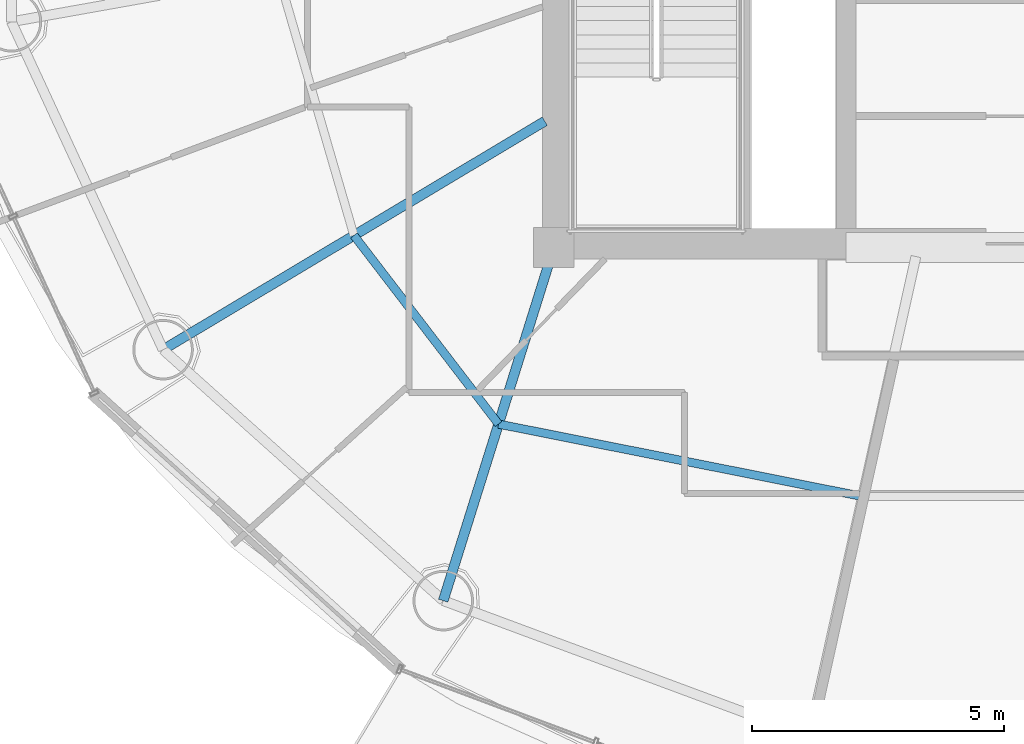
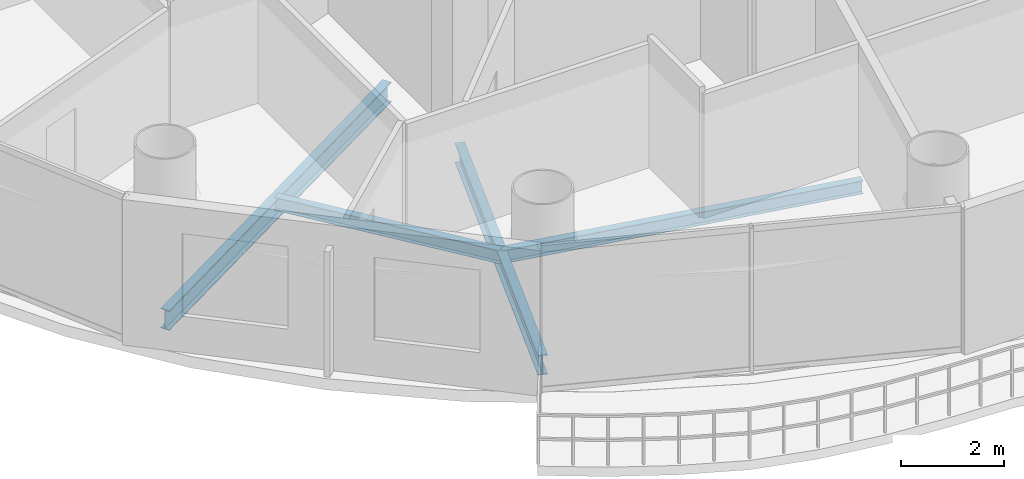
# One storey, part 4 of 26: 4 beams.
"""IFC4 building model written with IfcOpenShell, lengths in metres."""

import ifcopenshell
import ifcopenshell.guid

model = None  # the IFC model being written
_history = None  # IfcOwnerHistory: only IFC2X3 demands one
_inside = {}  # id of a spatial element -> (the spatial element, [elements in it])
_under = {}  # id of a project, library or spatial element -> (it, [spatial elements below it])
_declared = {}  # id of a project -> (the project, [libraries it declares])
_typed = {}  # id of a type object -> (the type object, [elements of that type])
_made_of = {}  # id of a material, layer set ... -> (it, [elements and type objects made of it])


def new_model(schema):
    """Start an empty IFC model of exactly this schema.

    Asked for "IFC4X3", IfcOpenShell would pick the latest addendum, in which some entities
    have other attributes; the version numbers below select the first issue.
    IFC2X3 requires an IfcOwnerHistory on every rooted entity: one is made here for all.
    """
    global model, _history
    if schema == "IFC4X3":
        model = ifcopenshell.file(schema_version=(4, 3, 0, 0))
    else:
        model = ifcopenshell.file(schema=schema)
    _inside.clear()
    _under.clear()
    _declared.clear()
    _typed.clear()
    _made_of.clear()
    _history = None
    if model.schema == "IFC2X3":
        org = make("IfcOrganization", Name="unknown")
        user = make(
            "IfcPersonAndOrganization",
            ThePerson=make("IfcPerson", FamilyName="unknown"),
            TheOrganization=org,
        )
        app = make(
            "IfcApplication",
            ApplicationDeveloper=org,
            Version="unknown",
            ApplicationFullName="unknown",
            ApplicationIdentifier="unknown",
        )
        _history = make(
            "IfcOwnerHistory",
            OwningUser=user,
            OwningApplication=app,
            ChangeAction="ADDED",
            CreationDate=0,
        )
    return model


def make(cls, **values):
    """One entity of the class cls with the attributes given. An attribute that is None is left unset."""
    return model.create_entity(
        cls, **{name: value for name, value in values.items() if value is not None}
    )


def rooted(cls, **values):
    """An entity with a GlobalId (a new one), such as an element, a storey or a relation."""
    return make(cls, GlobalId=ifcopenshell.guid.new(), OwnerHistory=_history, **values)


def si_unit(unit_type, name, prefix=None):
    """IfcSIUnit, for example si_unit("LENGTHUNIT", "METRE", prefix="MILLI")."""
    return make("IfcSIUnit", UnitType=unit_type, Prefix=prefix, Name=name)


def assignment(units):
    """IfcUnitAssignment: the units of a project."""
    return None if units is None else make("IfcUnitAssignment", Units=units)


def point(xyz):
    """IfcCartesianPoint."""
    return None if xyz is None else make("IfcCartesianPoint", Coordinates=xyz)


def direction(xyz):
    """IfcDirection."""
    return None if xyz is None else make("IfcDirection", DirectionRatios=xyz)


def frame(location, z_axis=None, x_axis=None):
    """IfcAxis2Placement3D, a coordinate frame: its origin and axes. An axis left out is left unset."""
    return make(
        "IfcAxis2Placement3D",
        Location=point(location),
        Axis=direction(z_axis),
        RefDirection=direction(x_axis),
    )


def frame_2d(location, x_axis=None):
    """IfcAxis2Placement2D, a coordinate frame in the plane: its origin and x axis."""
    return make(
        "IfcAxis2Placement2D", Location=point(location), RefDirection=direction(x_axis)
    )


def origin():
    """The frame at (0, 0, 0) with its axes left unset."""
    return frame((0.0, 0.0, 0.0))


def origin_2d():
    """The frame at (0, 0) in the plane with its x axis left unset."""
    return frame_2d((0.0, 0.0))


def place(relative_to, where):
    """IfcLocalPlacement: puts the frame where relative to a parent placement (None: the world)."""
    return make(
        "IfcLocalPlacement", PlacementRelTo=relative_to, RelativePlacement=where
    )


def context(
    kind, dimensions, precision=None, world=None, true_north=None, identifier=None
):
    """IfcGeometricRepresentationContext, for example the 3D "Model" context."""
    return make(
        "IfcGeometricRepresentationContext",
        ContextIdentifier=identifier,
        ContextType=kind,
        CoordinateSpaceDimension=dimensions,
        Precision=precision,
        WorldCoordinateSystem=world,
        TrueNorth=true_north,
    )


def subcontext(parent, identifier, kind, view, scale=None):
    """IfcGeometricRepresentationSubContext, for example "Body" below "Model"."""
    return make(
        "IfcGeometricRepresentationSubContext",
        ContextIdentifier=identifier,
        ContextType=kind,
        ParentContext=parent,
        TargetScale=scale,
        TargetView=view,
    )


def project(units=None, contexts=None):
    """IfcProject with its units and contexts."""
    return rooted(
        "IfcProject",
        Name="project",
        RepresentationContexts=contexts,
        UnitsInContext=assignment(units),
    )


def spatial(cls, under=None, at=None, **own):
    """A site, building, storey or space (cls), placed at a placement, below another one or the project."""
    s = rooted(cls, ObjectPlacement=at, **own)
    if under is not None:
        _under.setdefault(under.id(), (under, []))[1].append(s)
    return s


def profile(cls, at=None, kind="AREA", **sizes):
    """A parametric profile (cls). Its sizes go by their IFC names, for example OverallWidth=200.0."""
    return make(cls, ProfileType=kind, Position=at, **sizes)


def i_section(**sizes):
    """IfcIShapeProfileDef."""
    return profile("IfcIShapeProfileDef", **sizes)


def extrude(swept, where, along, depth):
    """IfcExtrudedAreaSolid: the profile swept, set in the frame where, extruded along a direction by depth."""
    return make(
        "IfcExtrudedAreaSolid",
        SweptArea=swept,
        Position=where,
        ExtrudedDirection=direction(along),
        Depth=depth,
    )


def shape(context_of_items, identifier, shape_type, items):
    """IfcShapeRepresentation: the items that make up one representation, for example the "Body"."""
    return make(
        "IfcShapeRepresentation",
        ContextOfItems=context_of_items,
        RepresentationIdentifier=identifier,
        RepresentationType=shape_type,
        Items=items,
    )


def material(Name=None, Category=None):
    """IfcMaterial."""
    return make("IfcMaterial", Name=Name, Category=Category)


def material_profile(
    of_material, cross_section, Name=None, Category=None, Priority=None
):
    """IfcMaterialProfile: a cross section and its material."""
    return make(
        "IfcMaterialProfile",
        Name=Name,
        Material=of_material,
        Profile=cross_section,
        Priority=Priority,
        Category=Category,
    )


def profile_set(profiles, Name=None, composite=None):
    """IfcMaterialProfileSet."""
    return make(
        "IfcMaterialProfileSet",
        Name=Name,
        MaterialProfiles=profiles,
        CompositeProfile=composite,
    )


def made_of(thing, what):
    """Note that an element or type object is made of a material, layer set ...; save() writes the relation."""
    if what is not None:
        _made_of.setdefault(what.id(), (what, []))[1].append(thing)
    return thing


def type_object(cls, material=None, **own):
    """A type object (cls), such as IfcWallType, which elements share."""
    return made_of(rooted(cls, **own), material)


def element(
    cls,
    number,
    at=None,
    inside=None,
    cuts=None,
    type_object=None,
    material=None,
    context=None,
    identifier="Body",
    shape_type=None,
    held_by="IfcProductDefinitionShape",
    body=None,
    shapes=None,
    **own,
):
    """One element of the class cls, such as IfcWall. Its Tag is "e" and its number.

    at: its placement. inside: the storey or other place that contains it. cuts: it is an
    opening in that element (IfcRelVoidsElement). A single representation is given by context,
    identifier, shape_type and body (its items); several are given by shapes. held_by: the class
    of the entity that holds the representations. save() writes the other relations.
    """
    e = rooted(cls, Tag="e%d" % number, ObjectPlacement=at, **own)
    if body is not None:
        shapes = [shape(context, identifier, shape_type, body)]
    if shapes is not None:
        e.Representation = make(held_by, Representations=shapes)
    if inside is not None:
        _inside.setdefault(inside.id(), (inside, []))[1].append(e)
    if cuts is not None:
        rooted(
            "IfcRelVoidsElement", RelatingBuildingElement=cuts, RelatedOpeningElement=e
        )
    if type_object is not None:
        _typed.setdefault(type_object.id(), (type_object, []))[1].append(e)
    return made_of(e, material)


def aggregate(whole, parts):
    """IfcRelAggregates: a whole, such as a stair, and the parts it consists of."""
    return rooted("IfcRelAggregates", RelatingObject=whole, RelatedObjects=parts)


def save(model, path):
    """Write the relations noted so far, then the file.

    IfcRelAggregates (storeys below a building ...), IfcRelContainedInSpatialStructure (elements
    in a storey), IfcRelDefinesByType, IfcRelAssociatesMaterial and IfcRelDeclares: one each for
    every whole, place, type object, material and project.
    """
    for whole, parts in _under.values():
        aggregate(whole, parts)
    for where, things in _inside.values():
        rooted(
            "IfcRelContainedInSpatialStructure",
            RelatedElements=things,
            RelatingStructure=where,
        )
    for kind, things in _typed.values():
        rooted("IfcRelDefinesByType", RelatedObjects=things, RelatingType=kind)
    for what, things in _made_of.values():
        rooted("IfcRelAssociatesMaterial", RelatedObjects=things, RelatingMaterial=what)
    for by, libraries in _declared.values():
        rooted("IfcRelDeclares", RelatingContext=by, RelatedDefinitions=libraries)
    model.write(path)


model = new_model("IFC4")

# Units and contexts
model_context = context("Model", 3, precision=1e-05, world=origin(), true_north=direction((-0.2419218956, 0.970295726276)))
body_context = subcontext(model_context, "Body", "Model", "MODEL_VIEW")
ifc_project = project(units=[si_unit("LENGTHUNIT", "METRE"), si_unit("AREAUNIT", "SQUARE_METRE"), si_unit("VOLUMEUNIT", "CUBIC_METRE"), si_unit("PLANEANGLEUNIT", "RADIAN"), si_unit("MASSUNIT", "GRAM", prefix="KILO")], contexts=[model_context])

# Site, building, storey
site_placement = place(None, origin())
site = spatial("IfcSite", under=ifc_project, at=site_placement, CompositionType="ELEMENT")
building_placement = place(site_placement, origin())
building = spatial("IfcBuilding", under=site, at=building_placement, Name="Cobrevalo Terracotta Tower", CompositionType="ELEMENT")
storey_placement = place(building_placement, frame((0.0, 0.0, 231.89990234375)))
storey = spatial("IfcBuildingStorey", under=building, at=storey_placement, Name="L61", CompositionType="ELEMENT", Elevation=231.89990234375)

# Beams
ifc_material = material(Name="Steel S355", Category="steel")
ifc_material_profile_1 = material_profile(ifc_material, i_section(OverallWidth=0.194091796875, OverallDepth=0.468994140625, WebThickness=0.011474609375, FlangeThickness=0.0205078125, at=origin_2d()), Name="W 460x106")
ifc_profile_set_1 = profile_set([ifc_material_profile_1], Name="Steel S355")
beam_type_1 = type_object("IfcBeamType", Name="Structural Beam W 460x106 (Steel S355)", PredefinedType="BEAM", material=ifc_profile_set_1)
beam_1_placement = place(storey_placement, frame((21.245849609375, 16.77197265625, -0.49951171875), z_axis=(0.858046392192, 0.513572184651, 0.0), x_axis=(-0.513572184651, 0.858046392192, 0.0)))
element("IfcBeam", 1, at=beam_1_placement, inside=storey, type_object=beam_type_1, Name="L61 radial floor girder 10", PredefinedType="BEAM", context=body_context, shape_type="SweptSolid", body=[
    extrude(i_section(OverallWidth=0.194091796875, OverallDepth=0.468994140625, WebThickness=0.011474609375, FlangeThickness=0.0205078125, at=origin_2d()), origin(), (0.0, 0.0, 1.0), 8.827392578125),
])
beam_2_placement = place(storey_placement, frame((26.80517578125, 11.7919921875, -0.49951171875), z_axis=(0.298871212691, 0.954293454984, 0.0), x_axis=(-0.954293454984, 0.298871212691, 0.0)))
element("IfcBeam", 2, at=beam_2_placement, inside=storey, type_object=beam_type_1, Name="L61 radial floor girder 11", PredefinedType="BEAM", context=body_context, shape_type="SweptSolid", body=[
    extrude(i_section(OverallWidth=0.194091796875, OverallDepth=0.468994140625, WebThickness=0.011474609375, FlangeThickness=0.0205078125, at=origin_2d()), origin(), (0.0, 0.0, 1.0), 7.34375),
])
ifc_material_profile_2 = material_profile(ifc_material, i_section(OverallWidth=0.1650390625, OverallDepth=0.31005859375, WebThickness=0.005859375, FlangeThickness=0.009765625, at=origin_2d()), Name="W 310x38.7")
ifc_profile_set_2 = profile_set([ifc_material_profile_2], Name="Steel S355")
beam_type_2 = type_object("IfcBeamType", Name="Structural Joist W 310x38.7 (Steel S355)", PredefinedType="JOIST", material=ifc_profile_set_2)
beam_3_placement = place(storey_placement, frame((25.032958984375, 19.03857421875, -0.419921875), z_axis=(0.608464146296, -0.793581364872, 0.0), x_axis=(0.793581364872, 0.608464146296, 0.0)))
element("IfcBeam", 3, at=beam_3_placement, inside=storey, type_object=beam_type_2, Name="L61 circumferential secondary floor joist 10", PredefinedType="JOIST", context=body_context, shape_type="SweptSolid", body=[
    extrude(i_section(OverallWidth=0.1650390625, OverallDepth=0.31005859375, WebThickness=0.005859375, FlangeThickness=0.009765625, at=origin_2d()), origin(), (0.0, 0.0, 1.0), 4.716064453125),
])
beam_4_placement = place(storey_placement, frame((27.902587890625, 15.2958984375, -0.419921875), z_axis=(0.980768907748, -0.195172614871, 0.0), x_axis=(0.195172614871, 0.980768907748, 0.0)))
element("IfcBeam", 4, at=beam_4_placement, inside=storey, type_object=beam_type_2, Name="L61 circumferential secondary floor joist 11", PredefinedType="JOIST", context=body_context, shape_type="SweptSolid", body=[
    extrude(i_section(OverallWidth=0.1650390625, OverallDepth=0.31005859375, WebThickness=0.005859375, FlangeThickness=0.009765625, at=origin_2d()), origin(), (0.0, 0.0, 1.0), 7.365234375),
])

save(model, "model.ifc")
